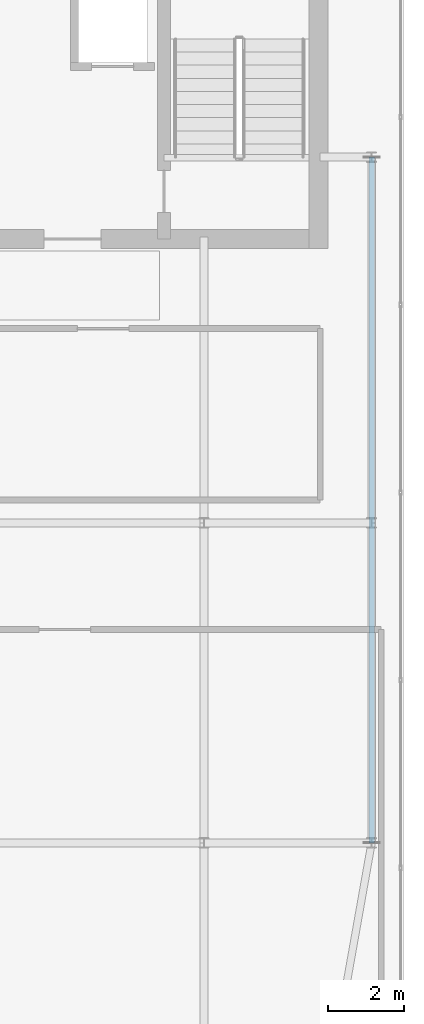
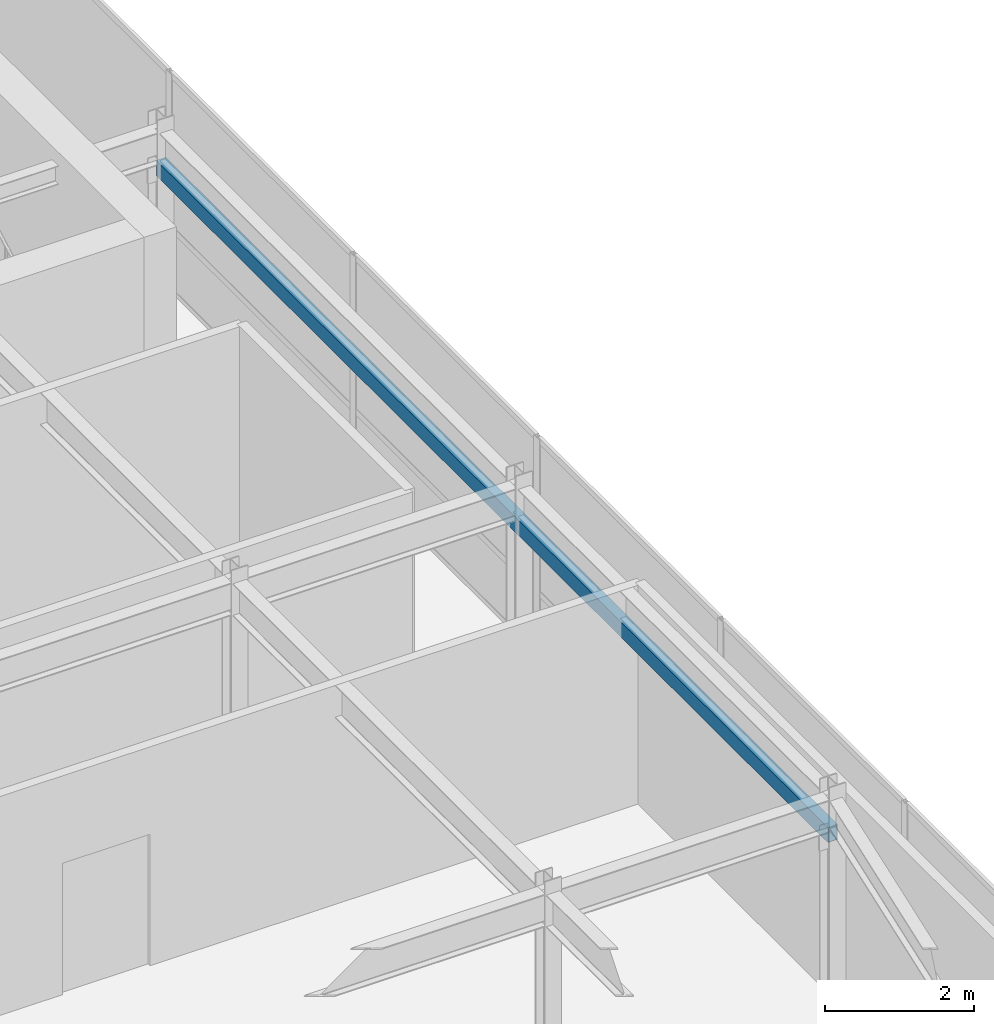
# One storey, part 23 of 36: 1 member.
"""IFC4 building model written with IfcOpenShell, lengths in metres."""

from ifc_helpers import new_model, si_unit, direction, frame, origin, origin_2d, place, context, subcontext, project, spatial, hollow_rectangle, extrude, source, transform, mapped, material, material_profile, profile_set, type_object, type_shapes, element, save


model = new_model("IFC4")

# Units and contexts
model_context = context("Model", 3, precision=1e-05, world=origin(), true_north=direction((0.0, 1.0)))
body_context = subcontext(model_context, "Body", "Model", "MODEL_VIEW")
ifc_project = project(units=[si_unit("LENGTHUNIT", "METRE"), si_unit("AREAUNIT", "SQUARE_METRE"), si_unit("VOLUMEUNIT", "CUBIC_METRE"), si_unit("PLANEANGLEUNIT", "RADIAN"), si_unit("MASSUNIT", "GRAM", prefix="KILO")], contexts=[model_context])

# Site, building, storey
site_placement = place(None, origin())
site = spatial("IfcSite", under=ifc_project, at=site_placement, CompositionType="ELEMENT")
building_placement = place(site_placement, origin())
building = spatial("IfcBuilding", under=site, at=building_placement, Name="Tolvann Quenvar Hotel", CompositionType="ELEMENT")
storey_placement = place(building_placement, frame((0.0, 0.0, 294.75)))
storey = spatial("IfcBuildingStorey", under=building, at=storey_placement, Name="L78", CompositionType="ELEMENT", Elevation=294.75)

# Member
ifc_material = material(Name="Steel Grade 450 (C450L0)", Category="steel")
ifc_material_profile = material_profile(ifc_material, hollow_rectangle(XDim=0.14990234375, YDim=0.25, WallThickness=0.009033203125, at=origin_2d()), Name="250x150x9RHS")
ifc_profile_set = profile_set([ifc_material_profile], Name="Steel Grade 450 (C450L0)")
member_type = type_object("IfcMemberType", Name="MEM_CROWN_250RHS", PredefinedType="USERDEFINED", material=ifc_profile_set)
shared_shape = source(origin(), body_context, "Body", "SweptSolid", [
    extrude(hollow_rectangle(XDim=0.14990234375, YDim=0.25, WallThickness=0.009033203125, at=origin_2d()), origin(), (0.0, 0.0, 1.0), 18.0),
])
type_shapes(member_type, [shared_shape])
member_placement = place(storey_placement, frame((37.14990234375, 16.0, 2.929931640625), z_axis=(0.0, 1.0, 0.0), x_axis=(-1.0, 0.0, 0.0)))
element("IfcMember", 1, at=member_placement, inside=storey, type_object=member_type, Name="Crown Frame Ring Member (L78-3)", ObjectType="CROWN FRAME", PredefinedType="USERDEFINED", context=body_context, shape_type="MappedRepresentation", body=[
    mapped(shared_shape, transform((0.0, 0.0, 0.0), x_axis=(1.0, 0.0, 0.0), y_axis=(0.0, 1.0, 0.0), z_axis=(0.0, 0.0, 1.0), scale=1.0)),
])

save(model, "model.ifc")
